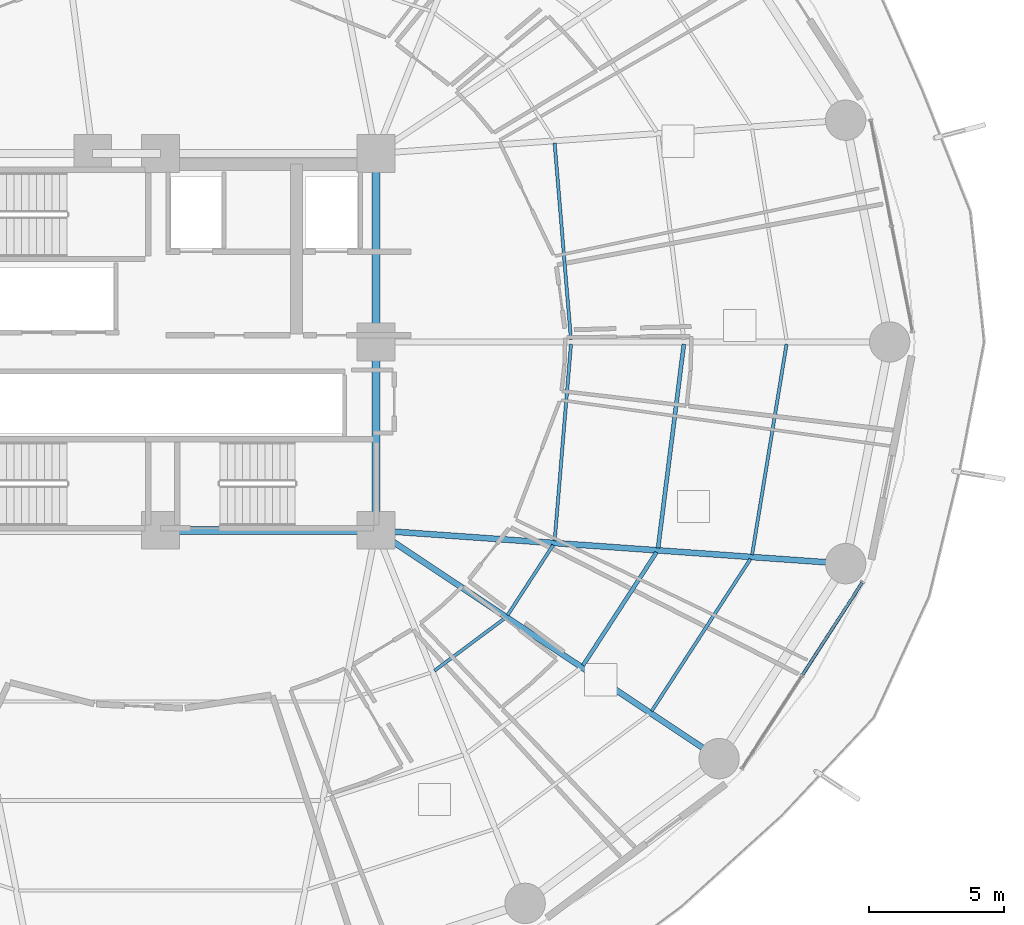
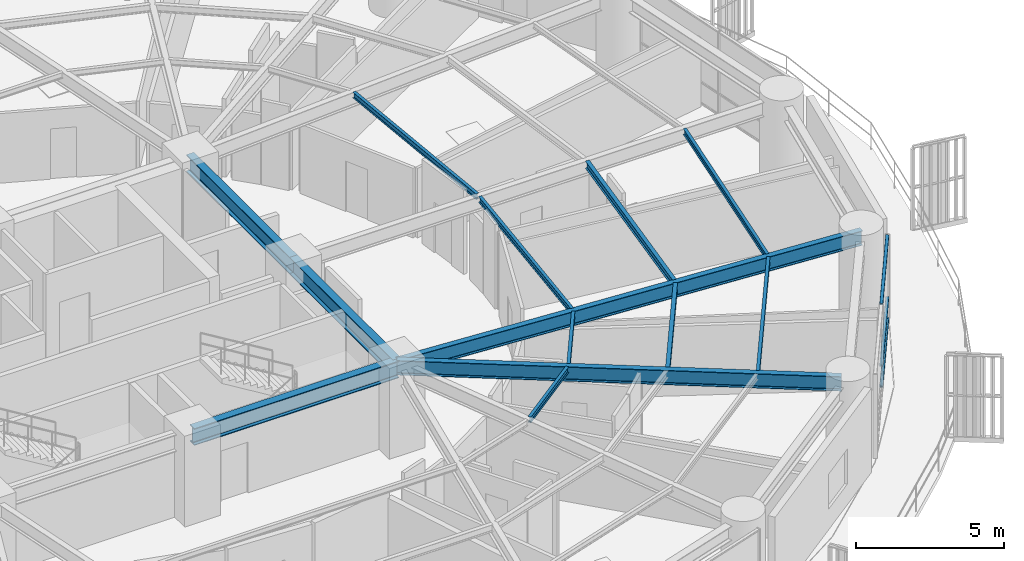
# One storey, part 11 of 33: 13 beams, 3 members, 1 element without a shape of its own.
"""IFC4 building model written with IfcOpenShell, lengths in metres."""

from ifc_helpers import new_model, si_unit, direction, frame, origin, origin_2d, place, context, subcontext, project, spatial, hollow_rectangle, i_section, extrude, material, layer, layer_set, material_profile, profile_set, type_object, element, aggregate, save


model = new_model("IFC4")

# Units and contexts
model_context = context("Model", 3, precision=1e-05, world=origin(), true_north=direction((0.0, 1.0)))
body_context = subcontext(model_context, "Body", "Model", "MODEL_VIEW")
ifc_project = project(units=[si_unit("LENGTHUNIT", "METRE"), si_unit("AREAUNIT", "SQUARE_METRE"), si_unit("VOLUMEUNIT", "CUBIC_METRE"), si_unit("PLANEANGLEUNIT", "RADIAN"), si_unit("MASSUNIT", "GRAM", prefix="KILO")], contexts=[model_context])

# Site, building, storey
site_placement = place(None, origin())
site = spatial("IfcSite", under=ifc_project, at=site_placement, CompositionType="ELEMENT")
building_placement = place(site_placement, origin())
building = spatial("IfcBuilding", under=site, at=building_placement, Name="Kelanora Arch Commons", CompositionType="ELEMENT")
storey_placement = place(building_placement, frame((0.0, 0.0, 37.5)))
storey = spatial("IfcBuildingStorey", under=building, at=storey_placement, Name="L09", CompositionType="ELEMENT", Elevation=37.5)

# Beams
ifc_material_1 = material(Name="Steel S355", Category="steel")
ifc_material_profile_1 = material_profile(ifc_material_1, i_section(OverallWidth=0.300048828125, OverallDepth=0.699951171875, WebThickness=0.01708984375, FlangeThickness=0.031982421875, FilletRadius=0.027099609375, at=origin_2d()), Name="HEB700")
ifc_profile_set_1 = profile_set([ifc_material_profile_1], Name="Steel S355")
beam_type_1 = type_object("IfcBeamType", Name="BM-CORE-HDR", PredefinedType="BEAM", material=ifc_profile_set_1)
beam_1_placement = place(storey_placement, frame((74.0, 51.0, 3.139892578125), z_axis=(1.0, 0.0, 0.0), x_axis=(0.0, 1.0, 0.0)))
element("IfcBeam", 1, at=beam_1_placement, inside=storey, type_object=beam_type_1, Name="Core Header Beam 02 L09", PredefinedType="BEAM", context=body_context, shape_type="SweptSolid", body=[
    extrude(i_section(OverallWidth=0.300048828125, OverallDepth=0.699951171875, WebThickness=0.01708984375, FlangeThickness=0.031982421875, FilletRadius=0.027099609375, at=origin_2d()), origin(), (0.0, 0.0, 1.0), 8.0),
])
for number, where, z_axis, x_axis, name in (
    (2, (82.0, 51.0, 3.139892578125), (0.0, 1.0, 0.0), (-1.0, 0.0, 0.0), "Core Header Beam 03 L09"),
    (3, (82.0, 58.0, 3.139892578125), (0.0, 1.0, 0.0), (-1.0, 0.0, 0.0), "Core Header Beam 04 L09"),
):
    element("IfcBeam", number, at=place(storey_placement, frame(where, z_axis=z_axis, x_axis=x_axis)), inside=storey, type_object=beam_type_1, Name=name, PredefinedType="BEAM", context=body_context, shape_type="SweptSolid", body=[
        extrude(i_section(OverallWidth=0.300048828125, OverallDepth=0.699951171875, WebThickness=0.01708984375, FlangeThickness=0.031982421875, FilletRadius=0.027099609375, at=origin_2d()), origin(), (0.0, 0.0, 1.0), 7.0),
    ])
ifc_material_profile_2 = material_profile(ifc_material_1, i_section(OverallWidth=0.14990234375, OverallDepth=0.300048828125, WebThickness=0.007080078125, FlangeThickness=0.0107421875, FilletRadius=0.014892578125, at=origin_2d()), Name="IPE300")
ifc_profile_set_2 = profile_set([ifc_material_profile_2], Name="Steel S355")
beam_type_2 = type_object("IfcBeamType", Name="BM-JST-01", PredefinedType="JOIST", material=ifc_profile_set_2)
beam_2_placement = place(storey_placement, frame((89.693115234375, 45.984375, 3.340087890625), z_axis=(0.544551588245, 0.838727350061, 0.0), x_axis=(-0.838727350061, 0.544551588245, 0.0)))
element("IfcBeam", 4, at=beam_2_placement, inside=storey, type_object=beam_type_2, Name="Secondary Chord Joist BJB-32 L09", PredefinedType="JOIST", context=body_context, shape_type="SweptSolid", body=[
    extrude(i_section(OverallWidth=0.14990234375, OverallDepth=0.300048828125, WebThickness=0.007080078125, FlangeThickness=0.0107421875, FilletRadius=0.014892578125, at=origin_2d()), origin(), (0.0, 0.0, 1.0), 5.010986328125),
])
beam_3_placement = place(storey_placement, frame((92.478759765625, 50.3427734375, 3.340087890625), z_axis=(0.125565841651, 0.992085288375, 0.0), x_axis=(-0.992085288375, 0.125565841651, 0.0)))
element("IfcBeam", 5, at=beam_3_placement, inside=storey, type_object=beam_type_2, Name="Secondary Chord Joist BJB-34 L09", PredefinedType="JOIST", context=body_context, shape_type="SweptSolid", body=[
    extrude(i_section(OverallWidth=0.14990234375, OverallDepth=0.300048828125, WebThickness=0.007080078125, FlangeThickness=0.0107421875, FilletRadius=0.014892578125, at=origin_2d()), origin(), (0.0, 0.0, 1.0), 7.63330078125),
])
ifc_material_profile_3 = material_profile(ifc_material_1, i_section(OverallWidth=0.1201171875, OverallDepth=0.239990234375, WebThickness=0.006103515625, FlangeThickness=0.009765625, FilletRadius=0.014892578125, at=origin_2d()), Name="IPE240")
ifc_profile_set_3 = profile_set([ifc_material_profile_3], Name="Steel S355")
beam_type_3 = type_object("IfcBeamType", Name="BM-JST-02", PredefinedType="JOIST", material=ifc_profile_set_3)
beam_4_placement = place(storey_placement, frame((89.243408203125, 58.084716796875, 3.3701171875), z_axis=(-0.082786209886, 0.996567330115, 0.0), x_axis=(-0.996567330115, -0.082786209886, 0.0)))
element("IfcBeam", 6, at=beam_4_placement, inside=storey, type_object=beam_type_3, Name="Secondary Chord Joist BJA-00 L09", PredefinedType="JOIST", context=body_context, shape_type="SweptSolid", body=[
    extrude(i_section(OverallWidth=0.1201171875, OverallDepth=0.239990234375, WebThickness=0.006103515625, FlangeThickness=0.009765625, FilletRadius=0.014892578125, at=origin_2d()), origin(), (0.0, 0.0, 1.0), 7.325439453125),
])
beam_5_placement = place(storey_placement, frame((84.17333984375, 45.786376953125, 3.3701171875), z_axis=(0.801513822608, 0.59797624716, 0.0), x_axis=(-0.59797624716, 0.801513822608, 0.0)))
element("IfcBeam", 7, at=beam_5_placement, inside=storey, type_object=beam_type_3, Name="Secondary Chord Joist BJA-30 L09", PredefinedType="JOIST", context=body_context, shape_type="SweptSolid", body=[
    extrude(i_section(OverallWidth=0.1201171875, OverallDepth=0.239990234375, WebThickness=0.006103515625, FlangeThickness=0.009765625, FilletRadius=0.014892578125, at=origin_2d()), origin(), (0.0, 0.0, 1.0), 3.245849609375),
])
beam_6_placement = place(storey_placement, frame((86.88916015625, 47.849609375, 3.3701171875), z_axis=(0.544591105858, 0.838701691557, 0.0), x_axis=(-0.838701691557, 0.544591105858, 0.0)))
element("IfcBeam", 8, at=beam_6_placement, inside=storey, type_object=beam_type_3, Name="Secondary Chord Joist BJA-32 L09", PredefinedType="JOIST", context=body_context, shape_type="SweptSolid", body=[
    extrude(i_section(OverallWidth=0.1201171875, OverallDepth=0.239990234375, WebThickness=0.006103515625, FlangeThickness=0.009765625, FilletRadius=0.014892578125, at=origin_2d()), origin(), (0.0, 0.0, 1.0), 3.111328125),
])
beam_7_placement = place(storey_placement, frame((92.241943359375, 44.288818359375, 3.3701171875), z_axis=(0.544550165372, 0.838728273873, 0.0), x_axis=(-0.838728273873, 0.544550165372, 0.0)))
element("IfcBeam", 9, at=beam_7_placement, inside=storey, type_object=beam_type_3, Name="Secondary Chord Joist BJC-32 L09", PredefinedType="JOIST", context=body_context, shape_type="SweptSolid", body=[
    extrude(i_section(OverallWidth=0.1201171875, OverallDepth=0.239990234375, WebThickness=0.006103515625, FlangeThickness=0.009765625, FilletRadius=0.014892578125, at=origin_2d()), origin(), (0.0, 0.0, 1.0), 6.738037109375),
])
beam_8_placement = place(storey_placement, frame((88.636962890625, 50.614990234375, 3.3701171875), z_axis=(0.082786209886, 0.996567330115, 0.0), x_axis=(-0.996567330115, 0.082786209886, 0.0)))
element("IfcBeam", 10, at=beam_8_placement, inside=storey, type_object=beam_type_3, Name="Secondary Chord Joist BJA-34 L09", PredefinedType="JOIST", context=body_context, shape_type="SweptSolid", body=[
    extrude(i_section(OverallWidth=0.1201171875, OverallDepth=0.239990234375, WebThickness=0.006103515625, FlangeThickness=0.009765625, FilletRadius=0.014892578125, at=origin_2d()), origin(), (0.0, 0.0, 1.0), 7.325439453125),
])
beam_9_placement = place(storey_placement, frame((95.97119140625, 50.09521484375, 3.3701171875), z_axis=(0.161400737199, 0.986888951216, 0.0), x_axis=(-0.986888951216, 0.161400737199, 0.0)))
element("IfcBeam", 11, at=beam_9_placement, inside=storey, type_object=beam_type_3, Name="Secondary Chord Joist BJC-34 L09", PredefinedType="JOIST", context=body_context, shape_type="SweptSolid", body=[
    extrude(i_section(OverallWidth=0.1201171875, OverallDepth=0.239990234375, WebThickness=0.006103515625, FlangeThickness=0.009765625, FilletRadius=0.014892578125, at=origin_2d()), origin(), (0.0, 0.0, 1.0), 7.9248046875),
])
ifc_material_profile_4 = material_profile(ifc_material_1, i_section(OverallWidth=0.219970703125, OverallDepth=0.60009765625, WebThickness=0.011962890625, FlangeThickness=0.01904296875, FilletRadius=0.02392578125, at=origin_2d()), Name="IPE600")
ifc_profile_set_4 = profile_set([ifc_material_profile_4], Name="Steel S355")
beam_type_4 = type_object("IfcBeamType", Name="BM-RAD-Z1", PredefinedType="BEAM", material=ifc_profile_set_4)
beam_10_placement = place(storey_placement, frame((82.0, 51.0, 3.18994140625), z_axis=(0.832592623638, -0.553885839379, 0.0), x_axis=(0.553885839379, 0.832592623638, 0.0)))
element("IfcBeam", 12, at=beam_10_placement, inside=storey, type_object=beam_type_4, Name="Radial Floor Girder BR-32 L09", PredefinedType="BEAM", context=body_context, shape_type="SweptSolid", body=[
    extrude(i_section(OverallWidth=0.219970703125, OverallDepth=0.60009765625, WebThickness=0.011962890625, FlangeThickness=0.01904296875, FilletRadius=0.02392578125, at=origin_2d()), origin(), (0.0, 0.0, 1.0), 15.0869140625),
])
beam_11_placement = place(storey_placement, frame((82.0, 51.0, 3.18994140625), z_axis=(0.997500683472, -0.070656821848, 0.0), x_axis=(0.070656821848, 0.997500683472, 0.0)))
element("IfcBeam", 13, at=beam_11_placement, inside=storey, type_object=beam_type_4, Name="Radial Floor Girder BR-34 L09", PredefinedType="BEAM", context=body_context, shape_type="SweptSolid", body=[
    extrude(i_section(OverallWidth=0.219970703125, OverallDepth=0.60009765625, WebThickness=0.011962890625, FlangeThickness=0.01904296875, FilletRadius=0.02392578125, at=origin_2d()), origin(), (0.0, 0.0, 1.0), 17.49072265625),
])

# Curtain wall, members
ifc_material_2 = material(Name="Terracotta ceramic-fritted low-E glass and aluminium", Category="masonry")
ifc_layer = layer(ifc_material_2, 0.159912109375)
ifc_layer_set = layer_set([ifc_layer], Name="Terracotta ceramic-fritted low-E glass and aluminium")
curtain_wall_type = type_object("IfcCurtainWallType", Name="CW-SYS-01", PredefinedType="NOTDEFINED", material=ifc_layer_set)
curtain_wall_placement = place(storey_placement, origin())
curtain_wall = element("IfcCurtainWall", 14, at=curtain_wall_placement, inside=storey, type_object=curtain_wall_type, Name="Unitised Curtain Wall L09-B16", PredefinedType="NOTDEFINED")
ifc_material_3 = material(Name="Powder-coated aluminium terracotta", Category="masonry")
ifc_material_profile_5 = material_profile(ifc_material_3, hollow_rectangle(XDim=0.1201171875, YDim=0.06005859375, WallThickness=0.0048828125, InnerFilletRadius=0.0048828125, OuterFilletRadius=0.010009765625, at=origin_2d()), Name="CWT120x60")
ifc_profile_set_5 = profile_set([ifc_material_profile_5], Name="Powder-coated aluminium terracotta")
member_type = type_object("IfcMemberType", Name="CWT-STD", PredefinedType="USERDEFINED", material=ifc_profile_set_5)
member_1_placement = place(storey_placement, frame((97.84716796875, 45.638671875, 0.030029296875), z_axis=(0.542997414293, 0.839734367566, 0.0), x_axis=(-0.839734367566, 0.542997414293, 0.0)))
member_1 = element("IfcMember", 15, at=member_1_placement, type_object=member_type, Name="CW-01 transom 2.1", ObjectType="TRANSOM", PredefinedType="USERDEFINED", context=body_context, shape_type="SweptSolid", body=[
    extrude(hollow_rectangle(XDim=0.1201171875, YDim=0.06005859375, WallThickness=0.0048828125, InnerFilletRadius=0.0048828125, OuterFilletRadius=0.010009765625, at=origin_2d()), origin(), (0.0, 0.0, 1.0), 4.067626953125),
])
member_2_placement = place(storey_placement, frame((97.84716796875, 45.638671875, 0.89990234375), z_axis=(0.542997414293, 0.839734367566, 0.0), x_axis=(-0.839734367566, 0.542997414293, 0.0)))
member_2 = element("IfcMember", 16, at=member_2_placement, type_object=member_type, Name="CW-01 transom 2.2", ObjectType="TRANSOM", PredefinedType="USERDEFINED", context=body_context, shape_type="SweptSolid", body=[
    extrude(hollow_rectangle(XDim=0.1201171875, YDim=0.06005859375, WallThickness=0.0048828125, InnerFilletRadius=0.0048828125, OuterFilletRadius=0.010009765625, at=origin_2d()), origin(), (0.0, 0.0, 1.0), 4.067626953125),
])
member_3_placement = place(storey_placement, frame((97.84716796875, 45.638671875, 3.445068359375), z_axis=(0.542997414293, 0.839734367566, 0.0), x_axis=(-0.839734367566, 0.542997414293, 0.0)))
member_3 = element("IfcMember", 17, at=member_3_placement, type_object=member_type, Name="CW-01 transom 2.3", ObjectType="TRANSOM", PredefinedType="USERDEFINED", context=body_context, shape_type="SweptSolid", body=[
    extrude(hollow_rectangle(XDim=0.1201171875, YDim=0.06005859375, WallThickness=0.0048828125, InnerFilletRadius=0.0048828125, OuterFilletRadius=0.010009765625, at=origin_2d()), origin(), (0.0, 0.0, 1.0), 4.067626953125),
])
aggregate(curtain_wall, [member_1, member_2, member_3])

save(model, "model.ifc")
